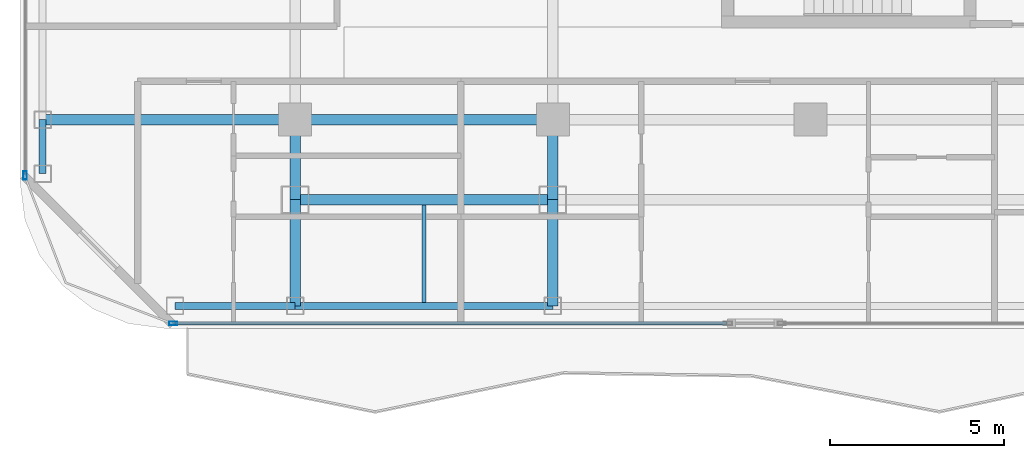
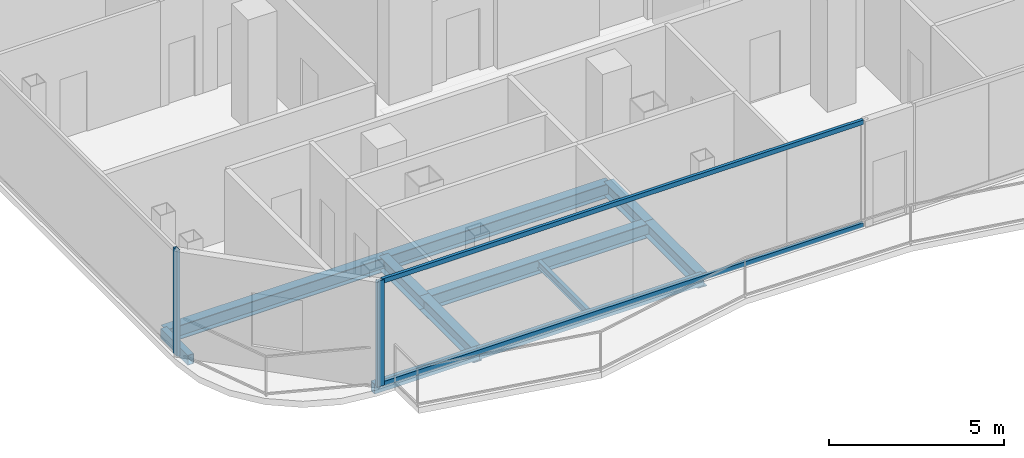
# One storey, part 2 of 23: 11 beams, 4 members, 2 elements without a shape of their own.
"""IFC4 building model written with IfcOpenShell, lengths in metres."""

from ifc_helpers import new_model, si_unit, direction, frame, origin, origin_2d, place, context, subcontext, project, spatial, hollow_rectangle, i_section, extrude, material, layer, layer_set, material_profile, profile_set, type_object, element, aggregate, save


model = new_model("IFC4")

# Units and contexts
model_context = context("Model", 3, precision=1e-05, world=origin(), true_north=direction((0.0, 1.0)))
body_context = subcontext(model_context, "Body", "Model", "MODEL_VIEW")
ifc_project = project(units=[si_unit("LENGTHUNIT", "METRE"), si_unit("AREAUNIT", "SQUARE_METRE"), si_unit("VOLUMEUNIT", "CUBIC_METRE"), si_unit("PLANEANGLEUNIT", "RADIAN"), si_unit("MASSUNIT", "GRAM", prefix="KILO")], contexts=[model_context])

# Site, building, storey
site_placement = place(None, origin())
site = spatial("IfcSite", under=ifc_project, at=site_placement, CompositionType="ELEMENT")
building_placement = place(site_placement, origin())
building = spatial("IfcBuilding", under=site, at=building_placement, Name="Khorvyn Point Tower", CompositionType="ELEMENT")
storey_placement = place(building_placement, frame((0.0, 0.0, 297.60009765625)))
storey = spatial("IfcBuildingStorey", under=building, at=storey_placement, Name="L73", CompositionType="ELEMENT", Elevation=297.60009765625)

# Curtain wall, member
ifc_material_1 = material(Name="Anodised aluminium 6063-T6 and laminated Low-E glass", Category="aluminium")
ifc_layer = layer(ifc_material_1, 0.18994140625)
ifc_layer_set = layer_set([ifc_layer], Name="Stick-Built High-Wind Curtain Wall CW-SYS-04")
curtain_wall_type = type_object("IfcCurtainWallType", Name="Stick-Built High-Wind Curtain Wall CW-SYS-04", PredefinedType="NOTDEFINED", material=ifc_layer_set)
curtain_wall_1_placement = place(storey_placement, origin())
curtain_wall_1 = element("IfcCurtainWall", 1, at=curtain_wall_1_placement, inside=storey, type_object=curtain_wall_type, Name="Curtain Wall", PredefinedType="NOTDEFINED")
ifc_material_2 = material(Name="Anodised aluminium 6063-T6", Category="aluminium")
ifc_material_profile_1 = material_profile(ifc_material_2, hollow_rectangle(XDim=0.10009765625, YDim=0.239990234375, WallThickness=0.0048828125, at=origin_2d()))
ifc_profile_set_1 = profile_set([ifc_material_profile_1], Name="Anodised aluminium 6063-T6 ALU-MUL-100x240")
member_type_1 = type_object("IfcMemberType", Name="Anodised Aluminium 6063-T6 Mullion ALU-MUL-100x240", PredefinedType="MULLION", material=ifc_profile_set_1)
member_1_placement = place(storey_placement, frame((-18.300048828125, -20.64990234375, 0.0), z_axis=(0.0, 0.0, 1.0), x_axis=(0.0, -1.0, 0.0)))
member_1 = element("IfcMember", 2, at=member_1_placement, type_object=member_type_1, Name="Transom", PredefinedType="MULLION", context=body_context, shape_type="SweptSolid", body=[
    extrude(hollow_rectangle(XDim=0.10009765625, YDim=0.239990234375, WallThickness=0.0048828125, at=origin_2d()), origin(), (0.0, 0.0, 1.0), 3.679931640625),
])

curtain_wall_2_placement = place(storey_placement, origin())
curtain_wall_2 = element("IfcCurtainWall", 3, at=curtain_wall_2_placement, inside=storey, type_object=curtain_wall_type, Name="Curtain Wall", PredefinedType="NOTDEFINED")
member_2_placement = place(storey_placement, frame((-22.550048828125, -16.39990234375, 0.0), z_axis=(0.0, 0.0, 1.0), x_axis=(-1.0, 0.0, 0.0)))
member_2 = element("IfcMember", 4, at=member_2_placement, type_object=member_type_1, Name="Transom", PredefinedType="MULLION", context=body_context, shape_type="SweptSolid", body=[
    extrude(hollow_rectangle(XDim=0.10009765625, YDim=0.239990234375, WallThickness=0.0048828125, at=origin_2d()), origin(), (0.0, 0.0, 1.0), 3.679931640625),
])
aggregate(curtain_wall_2, [member_2])

# Member
ifc_material_profile_2 = material_profile(ifc_material_2, hollow_rectangle(XDim=0.10009765625, YDim=0.159912109375, WallThickness=0.00439453125, at=origin_2d()))
ifc_profile_set_2 = profile_set([ifc_material_profile_2], Name="Anodised aluminium 6063-T6 ALU-TRN-100x160")
member_type_2 = type_object("IfcMemberType", Name="Anodised Aluminium 6063-T6 Transom ALU-TRN-100x160", PredefinedType="USERDEFINED", material=ifc_profile_set_2)
member_3_placement = place(storey_placement, frame((-2.4169921875, -20.64990234375, 0.0498046875), z_axis=(-1.0, 0.0, 0.0), x_axis=(0.0, -1.0, 0.0)))
member_3 = element("IfcMember", 5, at=member_3_placement, type_object=member_type_2, Name="Transom", ObjectType="TRANSOM", PredefinedType="USERDEFINED", context=body_context, shape_type="SweptSolid", body=[
    extrude(hollow_rectangle(XDim=0.10009765625, YDim=0.159912109375, WallThickness=0.00439453125, at=origin_2d()), origin(), (0.0, 0.0, 1.0), 15.8330078125),
])

member_4_placement = place(storey_placement, frame((-2.4169921875, -20.64990234375, 3.6298828125), z_axis=(-1.0, 0.0, 0.0), x_axis=(0.0, -1.0, 0.0)))
member_4 = element("IfcMember", 6, at=member_4_placement, type_object=member_type_2, Name="Transom", ObjectType="TRANSOM", PredefinedType="USERDEFINED", context=body_context, shape_type="SweptSolid", body=[
    extrude(hollow_rectangle(XDim=0.10009765625, YDim=0.159912109375, WallThickness=0.00439453125, at=origin_2d()), origin(), (0.0, 0.0, 1.0), 15.8330078125),
])

aggregate(curtain_wall_1, [member_1, member_3, member_4])

# Beams
ifc_material_3 = material(Name="Steel S355", Category="steel")
ifc_material_profile_3 = material_profile(ifc_material_3, i_section(OverallWidth=0.125, OverallDepth=0.25, WebThickness=0.006103515625, FlangeThickness=0.009033203125, at=origin_2d()))
ifc_profile_set_3 = profile_set([ifc_material_profile_3], Name="Steel S355 H250x125x6x9")
beam_type_1 = type_object("IfcBeamType", Name="Steel S355 Joist H250x125x6x9", PredefinedType="JOIST", material=ifc_profile_set_3)
beam_1_placement = place(storey_placement, frame((-11.10009765625, -20.050048828125, -0.34521484375), z_axis=(0.0, 1.0, 0.0), x_axis=(-1.0, 0.0, 0.0)))
element("IfcBeam", 7, at=beam_1_placement, inside=storey, type_object=beam_type_1, Name="Beam", PredefinedType="JOIST", context=body_context, shape_type="SweptSolid", body=[
    extrude(i_section(OverallWidth=0.125, OverallDepth=0.25, WebThickness=0.006103515625, FlangeThickness=0.009033203125, at=origin_2d()), origin(), (0.0, 0.0, 1.0), 2.800048828125),
])
ifc_material_profile_4 = material_profile(ifc_material_3, i_section(OverallWidth=0.300048828125, OverallDepth=0.488037109375, WebThickness=0.010986328125, FlangeThickness=0.01806640625, at=origin_2d()))
ifc_profile_set_4 = profile_set([ifc_material_profile_4], Name="Steel S355 H488x300x11x18")
beam_type_2 = type_object("IfcBeamType", Name="Steel S355 Spandrel H488x300x11x18", PredefinedType="SPANDREL", material=ifc_profile_set_4)
beam_2_placement = place(storey_placement, frame((-22.050048828125, -14.800048828125, -0.464111328125), z_axis=(1.0, 0.0, 0.0), x_axis=(0.0, 1.0, 0.0)))
element("IfcBeam", 8, at=beam_2_placement, inside=storey, type_object=beam_type_2, Name="Beam", PredefinedType="SPANDREL", context=body_context, shape_type="SweptSolid", body=[
    extrude(i_section(OverallWidth=0.300048828125, OverallDepth=0.488037109375, WebThickness=0.010986328125, FlangeThickness=0.01806640625, at=origin_2d()), origin(), (0.0, 0.0, 1.0), 7.25),
])
for number, where, z_axis, x_axis, name in (
    (9, (-14.800048828125, -14.800048828125, -0.464111328125), (1.0, 0.0, 0.0), (0.0, 1.0, 0.0), "Beam"),
    (10, (-14.800048828125, -17.10009765625, -0.464111328125), (1.0, 0.0, 0.0), (0.0, 1.0, 0.0), "Beam"),
):
    element("IfcBeam", number, at=place(storey_placement, frame(where, z_axis=z_axis, x_axis=x_axis)), inside=storey, type_object=beam_type_2, Name=name, PredefinedType="SPANDREL", context=body_context, shape_type="SweptSolid", body=[
        extrude(i_section(OverallWidth=0.300048828125, OverallDepth=0.488037109375, WebThickness=0.010986328125, FlangeThickness=0.01806640625, at=origin_2d()), origin(), (0.0, 0.0, 1.0), 7.400146484375),
    ])
beam_3_placement = place(storey_placement, frame((-14.800048828125, -20.14990234375, -0.464111328125), z_axis=(0.0, 1.0, 0.0), x_axis=(-1.0, 0.0, 0.0)))
element("IfcBeam", 11, at=beam_3_placement, inside=storey, type_object=beam_type_2, Name="Beam", PredefinedType="SPANDREL", context=body_context, shape_type="SweptSolid", body=[
    extrude(i_section(OverallWidth=0.300048828125, OverallDepth=0.488037109375, WebThickness=0.010986328125, FlangeThickness=0.01806640625, at=origin_2d()), origin(), (0.0, 0.0, 1.0), 3.0498046875),
])
beam_4_placement = place(storey_placement, frame((-14.800048828125, -17.10009765625, -0.464111328125), z_axis=(0.0, 1.0, 0.0), x_axis=(-1.0, 0.0, 0.0)))
element("IfcBeam", 12, at=beam_4_placement, inside=storey, type_object=beam_type_2, Name="Beam", PredefinedType="SPANDREL", context=body_context, shape_type="SweptSolid", body=[
    extrude(i_section(OverallWidth=0.300048828125, OverallDepth=0.488037109375, WebThickness=0.010986328125, FlangeThickness=0.01806640625, at=origin_2d()), origin(), (0.0, 0.0, 1.0), 2.300048828125),
])
beam_5_placement = place(storey_placement, frame((-7.39990234375, -20.14990234375, -0.464111328125), z_axis=(0.0, 1.0, 0.0), x_axis=(-1.0, 0.0, 0.0)))
element("IfcBeam", 13, at=beam_5_placement, inside=storey, type_object=beam_type_2, Name="Beam", PredefinedType="SPANDREL", context=body_context, shape_type="SweptSolid", body=[
    extrude(i_section(OverallWidth=0.300048828125, OverallDepth=0.488037109375, WebThickness=0.010986328125, FlangeThickness=0.01806640625, at=origin_2d()), origin(), (0.0, 0.0, 1.0), 3.0498046875),
])
beam_6_placement = place(storey_placement, frame((-7.39990234375, -17.10009765625, -0.464111328125), z_axis=(0.0, 1.0, 0.0), x_axis=(-1.0, 0.0, 0.0)))
element("IfcBeam", 14, at=beam_6_placement, inside=storey, type_object=beam_type_2, Name="Beam", PredefinedType="SPANDREL", context=body_context, shape_type="SweptSolid", body=[
    extrude(i_section(OverallWidth=0.300048828125, OverallDepth=0.488037109375, WebThickness=0.010986328125, FlangeThickness=0.01806640625, at=origin_2d()), origin(), (0.0, 0.0, 1.0), 2.300048828125),
])
ifc_material_profile_5 = material_profile(ifc_material_3, hollow_rectangle(XDim=0.199951171875, YDim=0.35009765625, WallThickness=0.013916015625, at=origin_2d()))
ifc_profile_set_5 = profile_set([ifc_material_profile_5], Name="Steel S355 RHS350x200x14")
beam_type_3 = type_object("IfcBeamType", Name="Steel S355 Spandrel RHS350x200x14", PredefinedType="SPANDREL", material=ifc_profile_set_5)
beam_7_placement = place(storey_placement, frame((-18.25, -20.14990234375, -0.39501953125), z_axis=(1.0, 0.0, 0.0), x_axis=(0.0, 1.0, 0.0)))
element("IfcBeam", 15, at=beam_7_placement, inside=storey, type_object=beam_type_3, Name="Beam", PredefinedType="SPANDREL", context=body_context, shape_type="SweptSolid", body=[
    extrude(hollow_rectangle(XDim=0.199951171875, YDim=0.35009765625, WallThickness=0.013916015625, at=origin_2d()), origin(), (0.0, 0.0, 1.0), 3.449951171875),
])
beam_8_placement = place(storey_placement, frame((-14.800048828125, -20.14990234375, -0.39501953125), z_axis=(1.0, 0.0, 0.0), x_axis=(0.0, 1.0, 0.0)))
element("IfcBeam", 16, at=beam_8_placement, inside=storey, type_object=beam_type_3, Name="Beam", PredefinedType="SPANDREL", context=body_context, shape_type="SweptSolid", body=[
    extrude(hollow_rectangle(XDim=0.199951171875, YDim=0.35009765625, WallThickness=0.013916015625, at=origin_2d()), origin(), (0.0, 0.0, 1.0), 7.400146484375),
])
beam_9_placement = place(storey_placement, frame((-22.050048828125, -16.35009765625, -0.39501953125), z_axis=(0.0, 1.0, 0.0), x_axis=(-1.0, 0.0, 0.0)))
element("IfcBeam", 17, at=beam_9_placement, inside=storey, type_object=beam_type_3, Name="Beam", PredefinedType="SPANDREL", context=body_context, shape_type="SweptSolid", body=[
    extrude(hollow_rectangle(XDim=0.199951171875, YDim=0.35009765625, WallThickness=0.013916015625, at=origin_2d()), origin(), (0.0, 0.0, 1.0), 1.550048828125),
])

save(model, "model.ifc")
